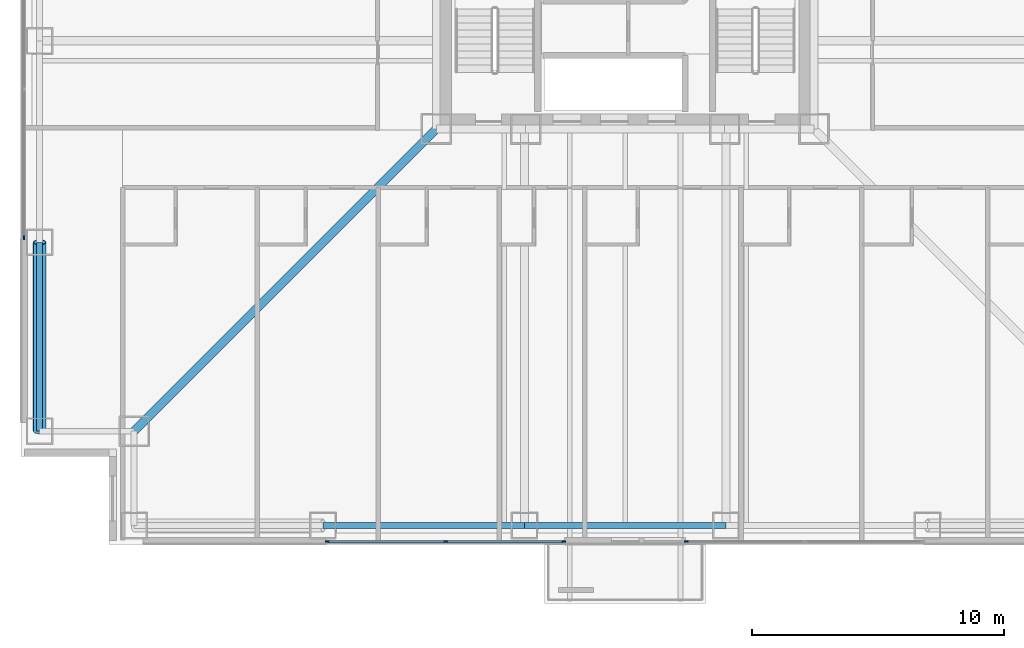
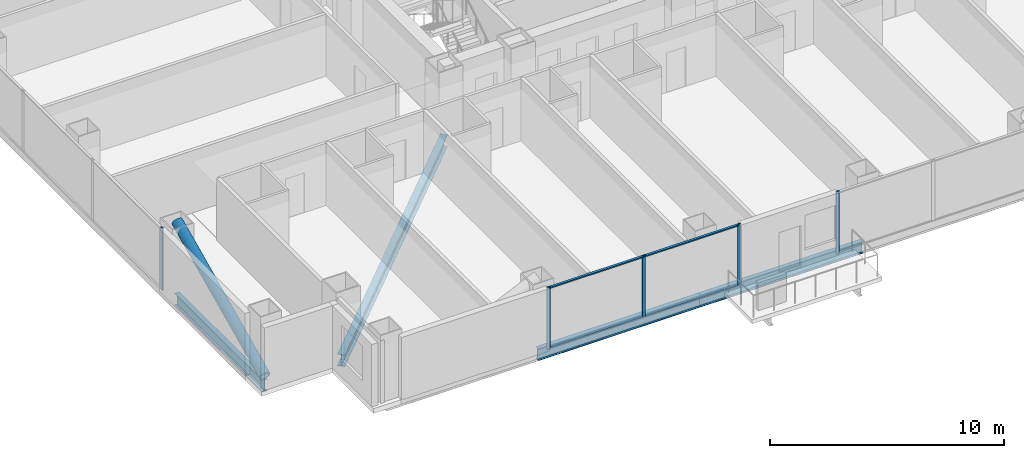
# One storey, part 2 of 16: 10 members, 4 beams, 3 elements without a shape of their own.
"""IFC4 building model written with IfcOpenShell, lengths in metres."""

import ifcopenshell
import ifcopenshell.guid

model = None  # the IFC model being written
_history = None  # IfcOwnerHistory: only IFC2X3 demands one
_inside = {}  # id of a spatial element -> (the spatial element, [elements in it])
_under = {}  # id of a project, library or spatial element -> (it, [spatial elements below it])
_declared = {}  # id of a project -> (the project, [libraries it declares])
_typed = {}  # id of a type object -> (the type object, [elements of that type])
_made_of = {}  # id of a material, layer set ... -> (it, [elements and type objects made of it])


def new_model(schema):
    """Start an empty IFC model of exactly this schema.

    Asked for "IFC4X3", IfcOpenShell would pick the latest addendum, in which some entities
    have other attributes; the version numbers below select the first issue.
    IFC2X3 requires an IfcOwnerHistory on every rooted entity: one is made here for all.
    """
    global model, _history
    if schema == "IFC4X3":
        model = ifcopenshell.file(schema_version=(4, 3, 0, 0))
    else:
        model = ifcopenshell.file(schema=schema)
    _inside.clear()
    _under.clear()
    _declared.clear()
    _typed.clear()
    _made_of.clear()
    _history = None
    if model.schema == "IFC2X3":
        org = make("IfcOrganization", Name="unknown")
        user = make(
            "IfcPersonAndOrganization",
            ThePerson=make("IfcPerson", FamilyName="unknown"),
            TheOrganization=org,
        )
        app = make(
            "IfcApplication",
            ApplicationDeveloper=org,
            Version="unknown",
            ApplicationFullName="unknown",
            ApplicationIdentifier="unknown",
        )
        _history = make(
            "IfcOwnerHistory",
            OwningUser=user,
            OwningApplication=app,
            ChangeAction="ADDED",
            CreationDate=0,
        )
    return model


def make(cls, **values):
    """One entity of the class cls with the attributes given. An attribute that is None is left unset."""
    return model.create_entity(
        cls, **{name: value for name, value in values.items() if value is not None}
    )


def rooted(cls, **values):
    """An entity with a GlobalId (a new one), such as an element, a storey or a relation."""
    return make(cls, GlobalId=ifcopenshell.guid.new(), OwnerHistory=_history, **values)


def si_unit(unit_type, name, prefix=None):
    """IfcSIUnit, for example si_unit("LENGTHUNIT", "METRE", prefix="MILLI")."""
    return make("IfcSIUnit", UnitType=unit_type, Prefix=prefix, Name=name)


def assignment(units):
    """IfcUnitAssignment: the units of a project."""
    return None if units is None else make("IfcUnitAssignment", Units=units)


def point(xyz):
    """IfcCartesianPoint."""
    return None if xyz is None else make("IfcCartesianPoint", Coordinates=xyz)


def direction(xyz):
    """IfcDirection."""
    return None if xyz is None else make("IfcDirection", DirectionRatios=xyz)


def frame(location, z_axis=None, x_axis=None):
    """IfcAxis2Placement3D, a coordinate frame: its origin and axes. An axis left out is left unset."""
    return make(
        "IfcAxis2Placement3D",
        Location=point(location),
        Axis=direction(z_axis),
        RefDirection=direction(x_axis),
    )


def frame_2d(location, x_axis=None):
    """IfcAxis2Placement2D, a coordinate frame in the plane: its origin and x axis."""
    return make(
        "IfcAxis2Placement2D", Location=point(location), RefDirection=direction(x_axis)
    )


def origin():
    """The frame at (0, 0, 0) with its axes left unset."""
    return frame((0.0, 0.0, 0.0))


def origin_2d():
    """The frame at (0, 0) in the plane with its x axis left unset."""
    return frame_2d((0.0, 0.0))


def place(relative_to, where):
    """IfcLocalPlacement: puts the frame where relative to a parent placement (None: the world)."""
    return make(
        "IfcLocalPlacement", PlacementRelTo=relative_to, RelativePlacement=where
    )


def context(
    kind, dimensions, precision=None, world=None, true_north=None, identifier=None
):
    """IfcGeometricRepresentationContext, for example the 3D "Model" context."""
    return make(
        "IfcGeometricRepresentationContext",
        ContextIdentifier=identifier,
        ContextType=kind,
        CoordinateSpaceDimension=dimensions,
        Precision=precision,
        WorldCoordinateSystem=world,
        TrueNorth=true_north,
    )


def subcontext(parent, identifier, kind, view, scale=None):
    """IfcGeometricRepresentationSubContext, for example "Body" below "Model"."""
    return make(
        "IfcGeometricRepresentationSubContext",
        ContextIdentifier=identifier,
        ContextType=kind,
        ParentContext=parent,
        TargetScale=scale,
        TargetView=view,
    )


def project(units=None, contexts=None):
    """IfcProject with its units and contexts."""
    return rooted(
        "IfcProject",
        Name="project",
        RepresentationContexts=contexts,
        UnitsInContext=assignment(units),
    )


def spatial(cls, under=None, at=None, **own):
    """A site, building, storey or space (cls), placed at a placement, below another one or the project."""
    s = rooted(cls, ObjectPlacement=at, **own)
    if under is not None:
        _under.setdefault(under.id(), (under, []))[1].append(s)
    return s


def profile(cls, at=None, kind="AREA", **sizes):
    """A parametric profile (cls). Its sizes go by their IFC names, for example OverallWidth=200.0."""
    return make(cls, ProfileType=kind, Position=at, **sizes)


def rectangle(**sizes):
    """IfcRectangleProfileDef."""
    return profile("IfcRectangleProfileDef", **sizes)


def hollow_circle(**sizes):
    """IfcCircleHollowProfileDef."""
    return profile("IfcCircleHollowProfileDef", **sizes)


def i_section(**sizes):
    """IfcIShapeProfileDef."""
    return profile("IfcIShapeProfileDef", **sizes)


def extrude(swept, where, along, depth):
    """IfcExtrudedAreaSolid: the profile swept, set in the frame where, extruded along a direction by depth."""
    return make(
        "IfcExtrudedAreaSolid",
        SweptArea=swept,
        Position=where,
        ExtrudedDirection=direction(along),
        Depth=depth,
    )


def shape(context_of_items, identifier, shape_type, items):
    """IfcShapeRepresentation: the items that make up one representation, for example the "Body"."""
    return make(
        "IfcShapeRepresentation",
        ContextOfItems=context_of_items,
        RepresentationIdentifier=identifier,
        RepresentationType=shape_type,
        Items=items,
    )


def material(Name=None, Category=None):
    """IfcMaterial."""
    return make("IfcMaterial", Name=Name, Category=Category)


def layer(
    of_material, thickness, ventilated=None, Name=None, Category=None, Priority=None
):
    """IfcMaterialLayer: one layer of a wall or slab, of a material (None: an air gap)."""
    return make(
        "IfcMaterialLayer",
        Material=of_material,
        LayerThickness=thickness,
        IsVentilated=ventilated,
        Name=Name,
        Category=Category,
        Priority=Priority,
    )


def layer_set(layers, Name=None):
    """IfcMaterialLayerSet."""
    return make("IfcMaterialLayerSet", MaterialLayers=layers, LayerSetName=Name)


def material_profile(
    of_material, cross_section, Name=None, Category=None, Priority=None
):
    """IfcMaterialProfile: a cross section and its material."""
    return make(
        "IfcMaterialProfile",
        Name=Name,
        Material=of_material,
        Profile=cross_section,
        Priority=Priority,
        Category=Category,
    )


def profile_set(profiles, Name=None, composite=None):
    """IfcMaterialProfileSet."""
    return make(
        "IfcMaterialProfileSet",
        Name=Name,
        MaterialProfiles=profiles,
        CompositeProfile=composite,
    )


def made_of(thing, what):
    """Note that an element or type object is made of a material, layer set ...; save() writes the relation."""
    if what is not None:
        _made_of.setdefault(what.id(), (what, []))[1].append(thing)
    return thing


def type_object(cls, material=None, **own):
    """A type object (cls), such as IfcWallType, which elements share."""
    return made_of(rooted(cls, **own), material)


def element(
    cls,
    number,
    at=None,
    inside=None,
    cuts=None,
    type_object=None,
    material=None,
    context=None,
    identifier="Body",
    shape_type=None,
    held_by="IfcProductDefinitionShape",
    body=None,
    shapes=None,
    **own,
):
    """One element of the class cls, such as IfcWall. Its Tag is "e" and its number.

    at: its placement. inside: the storey or other place that contains it. cuts: it is an
    opening in that element (IfcRelVoidsElement). A single representation is given by context,
    identifier, shape_type and body (its items); several are given by shapes. held_by: the class
    of the entity that holds the representations. save() writes the other relations.
    """
    e = rooted(cls, Tag="e%d" % number, ObjectPlacement=at, **own)
    if body is not None:
        shapes = [shape(context, identifier, shape_type, body)]
    if shapes is not None:
        e.Representation = make(held_by, Representations=shapes)
    if inside is not None:
        _inside.setdefault(inside.id(), (inside, []))[1].append(e)
    if cuts is not None:
        rooted(
            "IfcRelVoidsElement", RelatingBuildingElement=cuts, RelatedOpeningElement=e
        )
    if type_object is not None:
        _typed.setdefault(type_object.id(), (type_object, []))[1].append(e)
    return made_of(e, material)


def aggregate(whole, parts):
    """IfcRelAggregates: a whole, such as a stair, and the parts it consists of."""
    return rooted("IfcRelAggregates", RelatingObject=whole, RelatedObjects=parts)


def save(model, path):
    """Write the relations noted so far, then the file.

    IfcRelAggregates (storeys below a building ...), IfcRelContainedInSpatialStructure (elements
    in a storey), IfcRelDefinesByType, IfcRelAssociatesMaterial and IfcRelDeclares: one each for
    every whole, place, type object, material and project.
    """
    for whole, parts in _under.values():
        aggregate(whole, parts)
    for where, things in _inside.values():
        rooted(
            "IfcRelContainedInSpatialStructure",
            RelatedElements=things,
            RelatingStructure=where,
        )
    for kind, things in _typed.values():
        rooted("IfcRelDefinesByType", RelatedObjects=things, RelatingType=kind)
    for what, things in _made_of.values():
        rooted("IfcRelAssociatesMaterial", RelatedObjects=things, RelatingMaterial=what)
    for by, libraries in _declared.values():
        rooted("IfcRelDeclares", RelatingContext=by, RelatedDefinitions=libraries)
    model.write(path)


model = new_model("IFC4")

# Units and contexts
model_context = context("Model", 3, precision=1e-05, world=origin(), true_north=direction((0.0, 1.0)))
body_context = subcontext(model_context, "Body", "Model", "MODEL_VIEW")
ifc_project = project(units=[si_unit("LENGTHUNIT", "METRE"), si_unit("AREAUNIT", "SQUARE_METRE"), si_unit("VOLUMEUNIT", "CUBIC_METRE"), si_unit("PLANEANGLEUNIT", "RADIAN"), si_unit("MASSUNIT", "GRAM", prefix="KILO")], contexts=[model_context])

# Site, building, storey
site_placement = place(None, origin())
site = spatial("IfcSite", under=ifc_project, at=site_placement, CompositionType="ELEMENT")
building_placement = place(site_placement, origin())
building = spatial("IfcBuilding", under=site, at=building_placement, Name="Trevonay Congress Spire", CompositionType="ELEMENT")
storey_placement = place(building_placement, frame((0.0, 0.0, 65.5)))
storey = spatial("IfcBuildingStorey", under=building, at=storey_placement, Name="L16", CompositionType="ELEMENT", Elevation=65.5)

# Beams
ifc_material_1 = material(Name="Steel ASTM A572 Grade 50", Category="steel")
ifc_material_profile_1 = material_profile(ifc_material_1, i_section(OverallWidth=0.324951171875, OverallDepth=0.615966796875, WebThickness=0.013916015625, FlangeThickness=0.021484375, FilletRadius=0.01806640625, at=origin_2d()), Name="W610x174")
ifc_profile_set_1 = profile_set([ifc_material_profile_1], Name="Steel ASTM A572 Grade 50")
beam_type_1 = type_object("IfcBeamType", Name="BM-GIRD-W610X174", PredefinedType="BEAM", material=ifc_profile_set_1)
beam_1_placement = place(storey_placement, frame((-7.5, -7.5, -0.55810546875), z_axis=(-0.707106781187, -0.707106781187, 0.0), x_axis=(0.707106781187, -0.707106781187, 0.0)))
element("IfcBeam", 1, at=beam_1_placement, inside=storey, type_object=beam_type_1, Name="L16 structural beam BM-L16-CDSW", PredefinedType="BEAM", context=body_context, shape_type="SweptSolid", body=[
    extrude(i_section(OverallWidth=0.324951171875, OverallDepth=0.615966796875, WebThickness=0.013916015625, FlangeThickness=0.021484375, FilletRadius=0.01806640625, at=origin_2d()), origin(), (0.0, 0.0, 1.0), 16.970458984375),
])
ifc_material_profile_2 = material_profile(ifc_material_1, i_section(OverallWidth=0.22998046875, OverallDepth=0.616943359375, WebThickness=0.01318359375, FlangeThickness=0.022216796875, FilletRadius=0.01611328125, at=origin_2d()), Name="W610x140")
ifc_profile_set_2 = profile_set([ifc_material_profile_2], Name="Steel ASTM A572 Grade 50")
beam_type_2 = type_object("IfcBeamType", Name="BM-RING-W610X140", PredefinedType="BEAM", material=ifc_profile_set_2)
beam_2_placement = place(storey_placement, frame((-23.25, -19.5, -0.55859375), z_axis=(0.0, 1.0, 0.0), x_axis=(-1.0, 0.0, 0.0)))
element("IfcBeam", 2, at=beam_2_placement, inside=storey, type_object=beam_type_2, Name="L16 structural beam BM-L16-PW1", PredefinedType="BEAM", context=body_context, shape_type="SweptSolid", body=[
    extrude(i_section(OverallWidth=0.22998046875, OverallDepth=0.616943359375, WebThickness=0.01318359375, FlangeThickness=0.022216796875, FilletRadius=0.01611328125, at=origin_2d()), origin(), (0.0, 0.0, 1.0), 7.5),
])
for number, where, z_axis, x_axis, name in (
    (3, (-12.0, -23.25, -0.55859375), (1.0, 0.0, 0.0), (0.0, 1.0, 0.0), "L16 structural beam BM-L16-PS2"),
    (4, (-4.0, -23.25, -0.55859375), (1.0, 0.0, 0.0), (0.0, 1.0, 0.0), "L16 structural beam BM-L16-PS3"),
):
    element("IfcBeam", number, at=place(storey_placement, frame(where, z_axis=z_axis, x_axis=x_axis)), inside=storey, type_object=beam_type_2, Name=name, PredefinedType="BEAM", context=body_context, shape_type="SweptSolid", body=[
        extrude(i_section(OverallWidth=0.22998046875, OverallDepth=0.616943359375, WebThickness=0.01318359375, FlangeThickness=0.022216796875, FilletRadius=0.01611328125, at=origin_2d()), origin(), (0.0, 0.0, 1.0), 8.0),
    ])

# Curtain wall, members
ifc_material_2 = material(Name="Pale Anodised Aluminium EN AW-6063-T6", Category="aluminium")
ifc_layer = layer(ifc_material_2, 0.179931640625, Name="Pale Anodised Aluminium EN AW-6063-T6")
ifc_layer_set = layer_set([ifc_layer], Name="Pale Anodised Aluminium EN AW-6063-T6")
curtain_wall_type = type_object("IfcCurtainWallType", Name="CW-SYS02-HOTEL-PALE-METAL", PredefinedType="NOTDEFINED", material=ifc_layer_set)
curtain_wall_1_placement = place(storey_placement, origin())
curtain_wall_1 = element("IfcCurtainWall", 5, at=curtain_wall_1_placement, inside=storey, type_object=curtain_wall_type, Name="L16 SA unitised curtain wall", PredefinedType="NOTDEFINED")
ifc_material_profile_3 = material_profile(ifc_material_2, rectangle(XDim=0.06005859375, YDim=0.159912109375, at=origin_2d()), Name="CW-MULLION-160-ALUMINIUM")
ifc_profile_set_3 = profile_set([ifc_material_profile_3], Name="Pale Anodised Aluminium EN AW-6063-T6")
member_type_1 = type_object("IfcMemberType", Name="CW-MULLION-160-ALUMINIUM", PredefinedType="MULLION", material=ifc_profile_set_3)
member_1_placement = place(storey_placement, frame((-11.820068359375, -23.8798828125, 0.0), z_axis=(0.0, 0.0, 1.0), x_axis=(0.0, 1.0, 0.0)))
member_1 = element("IfcMember", 6, at=member_1_placement, type_object=member_type_1, Name="CW02 mullion 1", PredefinedType="MULLION", context=body_context, shape_type="SweptSolid", body=[
    extrude(rectangle(XDim=0.06005859375, YDim=0.159912109375, at=origin_2d()), origin(), (0.0, 0.0, 1.0), 3.25),
])
member_2_placement = place(storey_placement, frame((-7.125, -23.8798828125, 0.0), z_axis=(0.0, 0.0, 1.0), x_axis=(0.0, 1.0, 0.0)))
member_2 = element("IfcMember", 7, at=member_2_placement, type_object=member_type_1, Name="CW02 mullion 2", PredefinedType="MULLION", context=body_context, shape_type="SweptSolid", body=[
    extrude(rectangle(XDim=0.06005859375, YDim=0.159912109375, at=origin_2d()), origin(), (0.0, 0.0, 1.0), 3.25),
])
member_3_placement = place(storey_placement, frame((-2.429931640625, -23.8798828125, 0.0), z_axis=(0.0, 0.0, 1.0), x_axis=(0.0, 1.0, 0.0)))
member_3 = element("IfcMember", 8, at=member_3_placement, type_object=member_type_1, Name="CW02 mullion 3", PredefinedType="MULLION", context=body_context, shape_type="SweptSolid", body=[
    extrude(rectangle(XDim=0.06005859375, YDim=0.159912109375, at=origin_2d()), origin(), (0.0, 0.0, 1.0), 3.25),
])

# Curtain wall, member
curtain_wall_2_placement = place(storey_placement, origin())
curtain_wall_2 = element("IfcCurtainWall", 9, at=curtain_wall_2_placement, inside=storey, type_object=curtain_wall_type, Name="L16 SB unitised curtain wall", PredefinedType="NOTDEFINED")
member_4_placement = place(storey_placement, frame((2.429931640625, -23.8798828125, 0.0), z_axis=(0.0, 0.0, 1.0), x_axis=(0.0, 1.0, 0.0)))
member_4 = element("IfcMember", 10, at=member_4_placement, type_object=member_type_1, Name="CW02 mullion 1", PredefinedType="MULLION", context=body_context, shape_type="SweptSolid", body=[
    extrude(rectangle(XDim=0.06005859375, YDim=0.159912109375, at=origin_2d()), origin(), (0.0, 0.0, 1.0), 3.25),
])
aggregate(curtain_wall_2, [member_4])

curtain_wall_3_placement = place(storey_placement, origin())
curtain_wall_3 = element("IfcCurtainWall", 11, at=curtain_wall_3_placement, inside=storey, type_object=curtain_wall_type, Name="L16 W unitised curtain wall", PredefinedType="NOTDEFINED")
member_5_placement = place(storey_placement, frame((-23.8798828125, -11.820068359375, 0.0), z_axis=(0.0, 0.0, 1.0), x_axis=(-1.0, 0.0, 0.0)))
member_5 = element("IfcMember", 12, at=member_5_placement, type_object=member_type_1, Name="CW02 mullion 1", PredefinedType="MULLION", context=body_context, shape_type="SweptSolid", body=[
    extrude(rectangle(XDim=0.06005859375, YDim=0.159912109375, at=origin_2d()), origin(), (0.0, 0.0, 1.0), 3.25),
])
aggregate(curtain_wall_3, [member_5])

# Member
ifc_material_profile_4 = material_profile(ifc_material_2, rectangle(XDim=0.1201171875, YDim=0.06005859375, at=origin_2d()), Name="CW-TRANSOM-120-ALUMINIUM")
ifc_profile_set_4 = profile_set([ifc_material_profile_4], Name="Pale Anodised Aluminium EN AW-6063-T6")
member_type_2 = type_object("IfcMemberType", Name="CW-TRANSOM-120-ALUMINIUM", PredefinedType="USERDEFINED", material=ifc_profile_set_4)
member_6_placement = place(storey_placement, frame((-11.7900390625, -23.8798828125, 0.06005859375), z_axis=(1.0, 0.0, 0.0), x_axis=(0.0, 1.0, 0.0)))
member_6 = element("IfcMember", 13, at=member_6_placement, type_object=member_type_2, Name="CW02 transom 1.1", ObjectType="TRANSOM", PredefinedType="USERDEFINED", context=body_context, shape_type="SweptSolid", body=[
    extrude(rectangle(XDim=0.1201171875, YDim=0.06005859375, at=origin_2d()), origin(), (0.0, 0.0, 1.0), 4.635009765625),
])

member_7_placement = place(storey_placement, frame((-11.7900390625, -23.8798828125, 3.18994140625), z_axis=(1.0, 0.0, 0.0), x_axis=(0.0, 1.0, 0.0)))
member_7 = element("IfcMember", 14, at=member_7_placement, type_object=member_type_2, Name="CW02 transom 1.2", ObjectType="TRANSOM", PredefinedType="USERDEFINED", context=body_context, shape_type="SweptSolid", body=[
    extrude(rectangle(XDim=0.1201171875, YDim=0.06005859375, at=origin_2d()), origin(), (0.0, 0.0, 1.0), 4.635009765625),
])

member_8_placement = place(storey_placement, frame((-7.094970703125, -23.8798828125, 0.06005859375), z_axis=(1.0, 0.0, 0.0), x_axis=(0.0, 1.0, 0.0)))
member_8 = element("IfcMember", 15, at=member_8_placement, type_object=member_type_2, Name="CW02 transom 2.1", ObjectType="TRANSOM", PredefinedType="USERDEFINED", context=body_context, shape_type="SweptSolid", body=[
    extrude(rectangle(XDim=0.1201171875, YDim=0.06005859375, at=origin_2d()), origin(), (0.0, 0.0, 1.0), 4.635009765625),
])

member_9_placement = place(storey_placement, frame((-7.094970703125, -23.8798828125, 3.18994140625), z_axis=(1.0, 0.0, 0.0), x_axis=(0.0, 1.0, 0.0)))
member_9 = element("IfcMember", 16, at=member_9_placement, type_object=member_type_2, Name="CW02 transom 2.2", ObjectType="TRANSOM", PredefinedType="USERDEFINED", context=body_context, shape_type="SweptSolid", body=[
    extrude(rectangle(XDim=0.1201171875, YDim=0.06005859375, at=origin_2d()), origin(), (0.0, 0.0, 1.0), 4.635009765625),
])

aggregate(curtain_wall_1, [member_1, member_2, member_3, member_6, member_7, member_8, member_9])

ifc_material_profile_5 = material_profile(ifc_material_1, hollow_circle(Radius=0.25390625, WallThickness=0.02490234375, at=origin_2d()), Name="CHS 508x25")
ifc_profile_set_5 = profile_set([ifc_material_profile_5], Name="Steel ASTM A572 Grade 50")
member_type_3 = type_object("IfcMemberType", Name="MBR-TUBE-CHS508", PredefinedType="BRACE", material=ifc_profile_set_5)
member_10_placement = place(storey_placement, frame((-23.25, -19.5, -0.050048828125), z_axis=(0.0, 0.906183139995, 0.422885465331), x_axis=(-1.0, 0.0, 0.0)))
element("IfcMember", 17, at=member_10_placement, inside=storey, type_object=member_type_3, Name="L16 perimeter braced-tube diagonal W0", PredefinedType="BRACE", context=body_context, shape_type="SweptSolid", body=[
    extrude(hollow_circle(Radius=0.25390625, WallThickness=0.02490234375, at=origin_2d()), origin(), (0.0, 0.0, 1.0), 8.2763671875),
])

save(model, "model.ifc")
